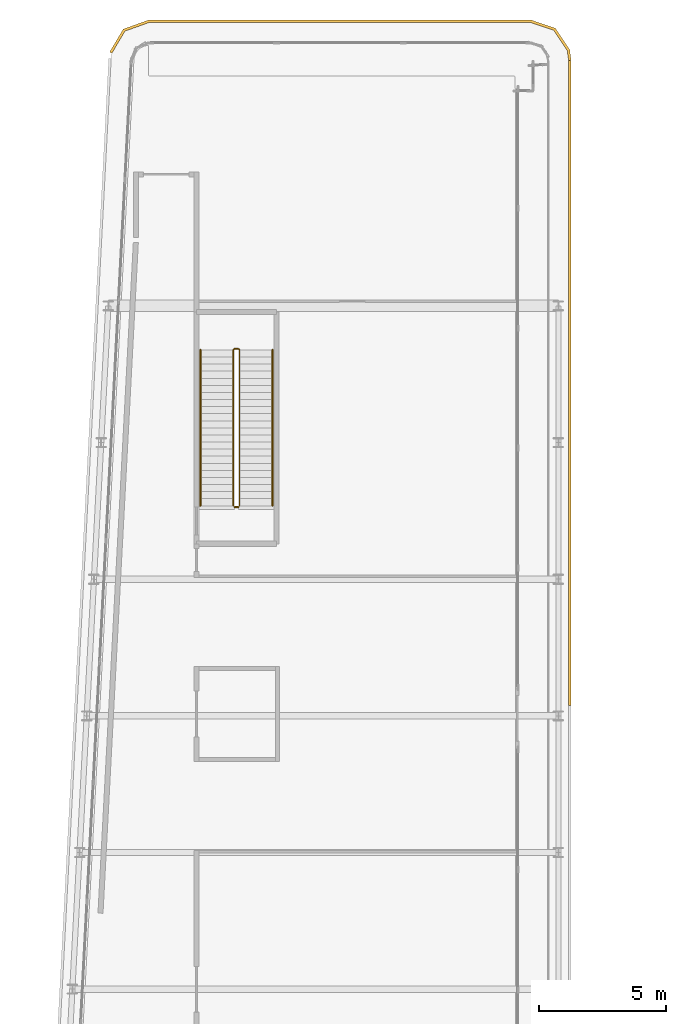
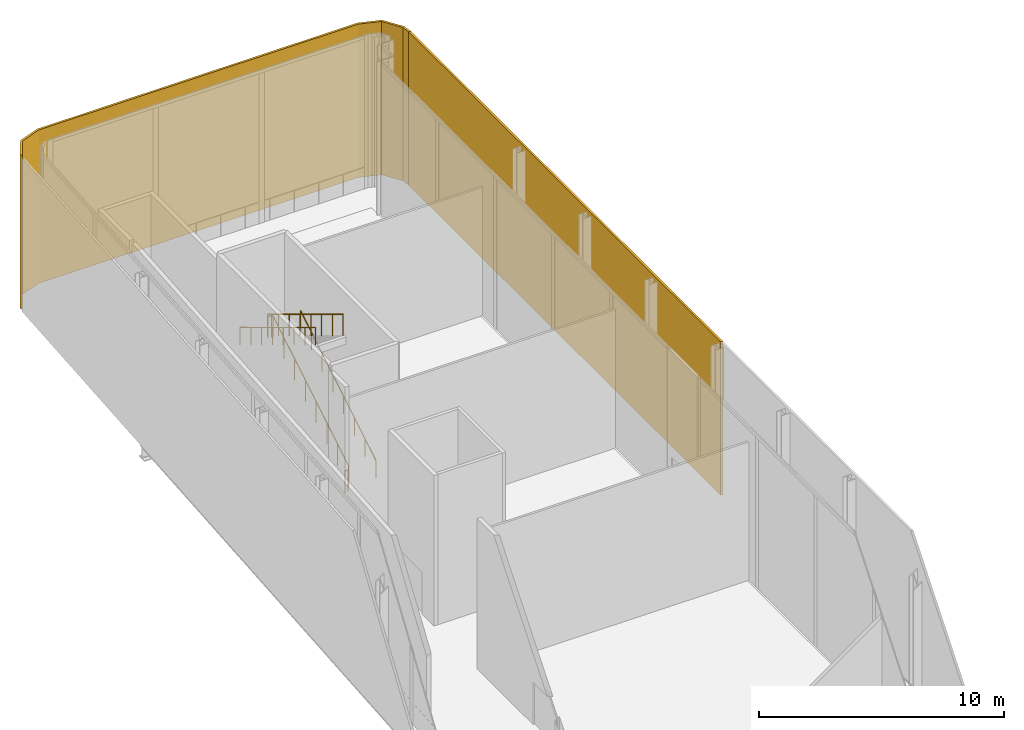
# One storey, part 28 of 28: 4 railings, 2 shading devices.
"""IFC4 building model written with IfcOpenShell, lengths in metres."""

from ifc_helpers import new_model, si_unit, direction, frame, origin, origin_2d, place, context, subcontext, project, spatial, polyline, rectangle, circle, outline, extrude, material, layer, layer_set, type_object, element, save


model = new_model("IFC4")

# Units and contexts
model_context = context("Model", 3, precision=1e-05, world=origin(), true_north=direction((0.0, 1.0)))
body_context = subcontext(model_context, "Body", "Model", "MODEL_VIEW")
ifc_project = project(units=[si_unit("LENGTHUNIT", "METRE"), si_unit("AREAUNIT", "SQUARE_METRE"), si_unit("VOLUMEUNIT", "CUBIC_METRE"), si_unit("PLANEANGLEUNIT", "RADIAN"), si_unit("MASSUNIT", "GRAM", prefix="KILO")], contexts=[model_context])

# Site, building, storey
site_placement = place(None, origin())
site = spatial("IfcSite", under=ifc_project, at=site_placement, CompositionType="ELEMENT")
building_placement = place(site_placement, origin())
building = spatial("IfcBuilding", under=site, at=building_placement, Name="Kheshtan School and Residences Tower", CompositionType="ELEMENT")
storey_placement = place(building_placement, frame((0.0, 0.0, 325.39990234375)))
storey = spatial("IfcBuildingStorey", under=building, at=storey_placement, Name="L77", CompositionType="ELEMENT", Elevation=325.39990234375)

# Shading devices
ifc_material_1 = material(Name="Terracotta baguette, extruded ceramic", Category="masonry")
ifc_layer_1 = layer(ifc_material_1, 0.10009765625)
ifc_layer_set_1 = layer_set([ifc_layer_1], Name="Ledge screen, terracotta baguettes")
shading_device_type_1 = type_object("IfcShadingDeviceType", Name="Ledge screen, terracotta baguettes", PredefinedType="USERDEFINED", material=ifc_layer_set_1)
shading_device_1_placement = place(storey_placement, origin())
element("IfcShadingDevice", 1, at=shading_device_1_placement, inside=storey, type_object=shading_device_type_1, Name="Screen L77 1", ObjectType="BAGUETTE", PredefinedType="USERDEFINED", context=body_context, shape_type="SweptSolid", body=[
    extrude(outline(polyline([(29.949951171875, 98.783935546875), (30.468017578125, 99.656982421875), (31.423095703125, 100.0), (46.5, 100.0), (47.4130859375, 99.68994140625), (47.948974609375, 98.887939453125), (48.0, 98.5), (48.09912109375, 98.512939453125), (48.044921875, 98.924072265625), (47.47705078125, 99.77392578125), (46.51708984375, 100.10009765625), (31.406005859375, 100.10009765625), (30.39990234375, 99.739013671875), (29.864013671875, 98.8349609375), (29.949951171875, 98.783935546875)])), origin(), (0.0, 0.0, 1.0), 7.650146484375),
])
ifc_material_2 = material(Name="Terracotta lattice, extruded ceramic", Category="masonry")
ifc_layer_2 = layer(ifc_material_2, 0.10009765625)
ifc_layer_set_2 = layer_set([ifc_layer_2], Name="Loggia screen, terracotta lattice")
shading_device_type_2 = type_object("IfcShadingDeviceType", Name="Loggia screen, terracotta lattice", PredefinedType="USERDEFINED", material=ifc_layer_set_2)
shading_device_2_placement = place(storey_placement, frame((48.050048828125, 85.75, 0.000244140625), z_axis=(0.0, 0.0, 1.0), x_axis=(0.0, -1.0, 0.0)))
element("IfcShadingDevice", 2, at=shading_device_2_placement, inside=storey, type_object=shading_device_type_2, Name="Screen L77 2", ObjectType="SCREEN", PredefinedType="USERDEFINED", context=body_context, shape_type="SweptSolid", body=[
    extrude(rectangle(XDim=25.5, YDim=0.10009765625, at=origin_2d()), origin(), (0.0, 0.0, 1.0), 7.64990234375),
])

# Railings
ifc_material_3 = material(Name="Stainless steel balustrade", Category="steel")
railing_type_1 = type_object("IfcRailingType", Name="Stair guard 1100", PredefinedType="GUARDRAIL", material=ifc_material_3)
railing_1_placement = place(storey_placement, frame((35.0, 80.89990234375, 0.169677734375)))
element("IfcRailing", 3, at=railing_1_placement, inside=storey, type_object=railing_type_1, Name="L77 ST3 stair guard 1", PredefinedType="GUARDRAIL", context=body_context, shape_type="SweptSolid", body=[
    extrude(circle(Radius=0.02392578125, at=origin_2d()), frame((0.0, 0.0, 1.076171875), z_axis=(0.0, 0.855379917629, 0.518001154937), x_axis=(-1.0, 0.0, 0.0)), (0.0, 0.0, 1.0), 7.20166015625),
    extrude(circle(Radius=0.02392578125, at=origin_2d()), frame((0.0, 6.16015625, 4.806640625), z_axis=(-0.707106781187, 0.707106781187, 0.0), x_axis=(-0.707106781187, -0.707106781187, 0.0)), (0.0, 0.0, 1.0), 0.07080078125),
    extrude(circle(Radius=0.02392578125, at=origin_2d()), frame((-0.050048828125, 6.210205078125, 4.806640625), z_axis=(-1.0, 0.0, 0.0), x_axis=(0.0, -1.0, 0.0)), (0.0, 0.0, 1.0), 0.14990234375),
    extrude(circle(Radius=0.02392578125, at=origin_2d()), frame((-0.199951171875, 6.210205078125, 4.806640625), z_axis=(-0.272562526181, -0.272562526181, 0.92272386912), x_axis=(0.707106781187, -0.707106781187, 0.0)), (0.0, 0.0, 1.0), 0.18359375),
    extrude(circle(Radius=0.02392578125, at=origin_2d()), frame((-0.25, 6.16015625, 4.97607421875), z_axis=(0.0, -0.855379917629, 0.518001154937), x_axis=(1.0, 0.0, 0.0)), (0.0, 0.0, 1.0), 7.20166015625),
    extrude(circle(Radius=0.02099609375, at=origin_2d()), origin(), (0.0, 0.0, 1.0), 1.052001953125),
    extrude(circle(Radius=0.02099609375, at=origin_2d()), frame((0.0, 0.880126953125, 0.532958984375)), (0.0, 0.0, 1.0), 1.052001953125),
    extrude(circle(Radius=0.02099609375, at=origin_2d()), frame((0.0, 1.760009765625, 1.06591796875)), (0.0, 0.0, 1.0), 1.052001953125),
    extrude(circle(Radius=0.02099609375, at=origin_2d()), frame((0.0, 2.64013671875, 1.598876953125)), (0.0, 0.0, 1.0), 1.052001953125),
    extrude(circle(Radius=0.02099609375, at=origin_2d()), frame((0.0, 3.52001953125, 2.131591796875)), (0.0, 0.0, 1.0), 1.052001953125),
    extrude(circle(Radius=0.02099609375, at=origin_2d()), frame((0.0, 4.400146484375, 2.66455078125)), (0.0, 0.0, 1.0), 1.052001953125),
    extrude(circle(Radius=0.02099609375, at=origin_2d()), frame((0.0, 5.280029296875, 3.197509765625)), (0.0, 0.0, 1.0), 1.052001953125),
    extrude(circle(Radius=0.02099609375, at=origin_2d()), frame((0.0, 6.16015625, 3.73046875)), (0.0, 0.0, 1.0), 1.052001953125),
    extrude(circle(Radius=0.02099609375, at=origin_2d()), frame((-0.050048828125, 6.210205078125, 3.73046875)), (0.0, 0.0, 1.0), 1.052001953125),
    extrude(circle(Radius=0.02099609375, at=origin_2d()), frame((-0.199951171875, 6.210205078125, 3.73046875)), (0.0, 0.0, 1.0), 1.052001953125),
    extrude(circle(Radius=0.02099609375, at=origin_2d()), frame((-0.25, 6.16015625, 3.89990234375)), (0.0, 0.0, 1.0), 1.052001953125),
    extrude(circle(Radius=0.02099609375, at=origin_2d()), frame((-0.25, 5.280029296875, 4.432861328125)), (0.0, 0.0, 1.0), 1.052001953125),
    extrude(circle(Radius=0.02099609375, at=origin_2d()), frame((-0.25, 4.400146484375, 4.9658203125)), (0.0, 0.0, 1.0), 1.052001953125),
    extrude(circle(Radius=0.02099609375, at=origin_2d()), frame((-0.25, 3.52001953125, 5.498779296875)), (0.0, 0.0, 1.0), 1.052001953125),
    extrude(circle(Radius=0.02099609375, at=origin_2d()), frame((-0.25, 2.64013671875, 6.031494140625)), (0.0, 0.0, 1.0), 1.052001953125),
    extrude(circle(Radius=0.02099609375, at=origin_2d()), frame((-0.25, 1.760009765625, 6.564453125)), (0.0, 0.0, 1.0), 1.052001953125),
    extrude(circle(Radius=0.02099609375, at=origin_2d()), frame((-0.25, 0.880126953125, 7.097412109375)), (0.0, 0.0, 1.0), 1.052001953125),
    extrude(circle(Radius=0.02099609375, at=origin_2d()), frame((-0.25, 0.0, 7.63037109375)), (0.0, 0.0, 1.0), 1.052001953125),
])
railing_2_placement = place(storey_placement, frame((34.949951171875, 80.85009765625, 0.0)))
element("IfcRailing", 4, at=railing_2_placement, inside=storey, type_object=railing_type_1, Name="L77 ST3 stair guard 2", PredefinedType="GUARDRAIL", context=body_context, shape_type="SweptSolid", body=[
    extrude(circle(Radius=0.02392578125, at=origin_2d()), frame((0.0, 0.0, 1.076171875), z_axis=(-1.0, 0.0, 0.0), x_axis=(0.0, -1.0, 0.0)), (0.0, 0.0, 1.0), 0.14990234375),
    extrude(circle(Radius=0.02099609375, at=origin_2d()), origin(), (0.0, 0.0, 1.0), 1.052001953125),
    extrude(circle(Radius=0.02099609375, at=origin_2d()), frame((-0.14990234375, 0.0, 0.0)), (0.0, 0.0, 1.0), 1.052001953125),
])
ifc_material_4 = material(Name="Stainless steel handrail", Category="steel")
railing_type_2 = type_object("IfcRailingType", Name="Stair handrail 900", PredefinedType="HANDRAIL", material=ifc_material_4)
railing_3_placement = place(storey_placement, frame((36.300048828125, 80.89990234375, 0.169677734375)))
element("IfcRailing", 5, at=railing_3_placement, inside=storey, type_object=railing_type_2, Name="L77 ST3 stair handrail 1", PredefinedType="HANDRAIL", context=body_context, shape_type="SweptSolid", body=[
    extrude(circle(Radius=0.02392578125, at=origin_2d()), frame((0.0, 0.0, 0.8759765625), z_axis=(0.0, 0.855379917629, 0.518001154937), x_axis=(-1.0, 0.0, 0.0)), (0.0, 0.0, 1.0), 7.20166015625),
    extrude(circle(Radius=0.02099609375, at=origin_2d()), origin(), (0.0, 0.0, 1.0), 0.851806640625),
    extrude(circle(Radius=0.02099609375, at=origin_2d()), frame((0.0, 0.880126953125, 0.532958984375)), (0.0, 0.0, 1.0), 0.851806640625),
    extrude(circle(Radius=0.02099609375, at=origin_2d()), frame((0.0, 1.760009765625, 1.06591796875)), (0.0, 0.0, 1.0), 0.851806640625),
    extrude(circle(Radius=0.02099609375, at=origin_2d()), frame((0.0, 2.64013671875, 1.598876953125)), (0.0, 0.0, 1.0), 0.851806640625),
    extrude(circle(Radius=0.02099609375, at=origin_2d()), frame((0.0, 3.52001953125, 2.131591796875)), (0.0, 0.0, 1.0), 0.851806640625),
    extrude(circle(Radius=0.02099609375, at=origin_2d()), frame((0.0, 4.400146484375, 2.66455078125)), (0.0, 0.0, 1.0), 0.851806640625),
    extrude(circle(Radius=0.02099609375, at=origin_2d()), frame((0.0, 5.280029296875, 3.197509765625)), (0.0, 0.0, 1.0), 0.851806640625),
    extrude(circle(Radius=0.02099609375, at=origin_2d()), frame((0.0, 6.16015625, 3.73046875)), (0.0, 0.0, 1.0), 0.851806640625),
])
railing_4_placement = place(storey_placement, frame((33.449951171875, 87.06005859375, 4.069580078125)))
element("IfcRailing", 6, at=railing_4_placement, inside=storey, type_object=railing_type_2, Name="L77 ST3 stair handrail 2", PredefinedType="HANDRAIL", context=body_context, shape_type="SweptSolid", body=[
    extrude(circle(Radius=0.02392578125, at=origin_2d()), frame((0.0, 0.0, 0.8759765625), z_axis=(0.0, -0.855379917629, 0.518001154937), x_axis=(1.0, 0.0, 0.0)), (0.0, 0.0, 1.0), 7.20166015625),
    extrude(circle(Radius=0.02099609375, at=origin_2d()), origin(), (0.0, 0.0, 1.0), 0.851806640625),
    extrude(circle(Radius=0.02099609375, at=origin_2d()), frame((0.0, -0.880126953125, 0.532958984375)), (0.0, 0.0, 1.0), 0.851806640625),
    extrude(circle(Radius=0.02099609375, at=origin_2d()), frame((0.0, -1.760009765625, 1.06591796875)), (0.0, 0.0, 1.0), 0.851806640625),
    extrude(circle(Radius=0.02099609375, at=origin_2d()), frame((0.0, -2.64013671875, 1.598876953125)), (0.0, 0.0, 1.0), 0.851806640625),
    extrude(circle(Radius=0.02099609375, at=origin_2d()), frame((0.0, -3.52001953125, 2.131591796875)), (0.0, 0.0, 1.0), 0.851806640625),
    extrude(circle(Radius=0.02099609375, at=origin_2d()), frame((0.0, -4.400146484375, 2.66455078125)), (0.0, 0.0, 1.0), 0.851806640625),
    extrude(circle(Radius=0.02099609375, at=origin_2d()), frame((0.0, -5.280029296875, 3.197509765625)), (0.0, 0.0, 1.0), 0.851806640625),
    extrude(circle(Radius=0.02099609375, at=origin_2d()), frame((0.0, -6.16015625, 3.73046875)), (0.0, 0.0, 1.0), 0.851806640625),
])

save(model, "model.ifc")
